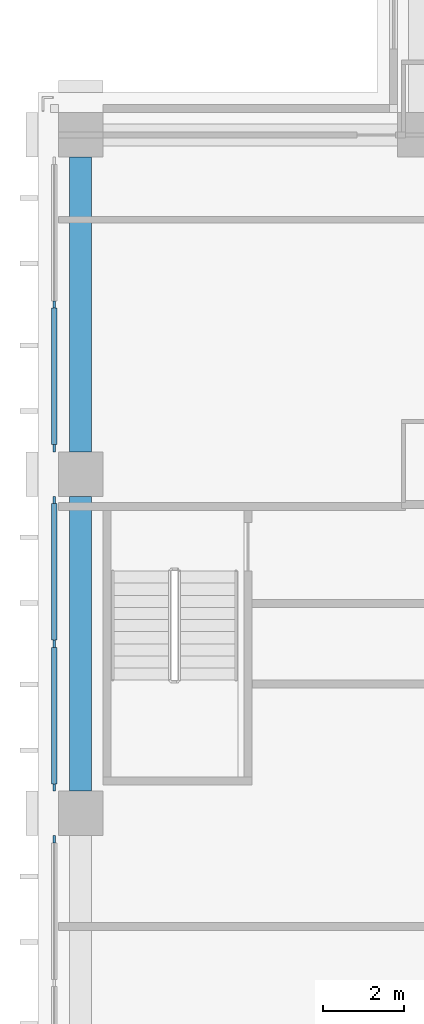
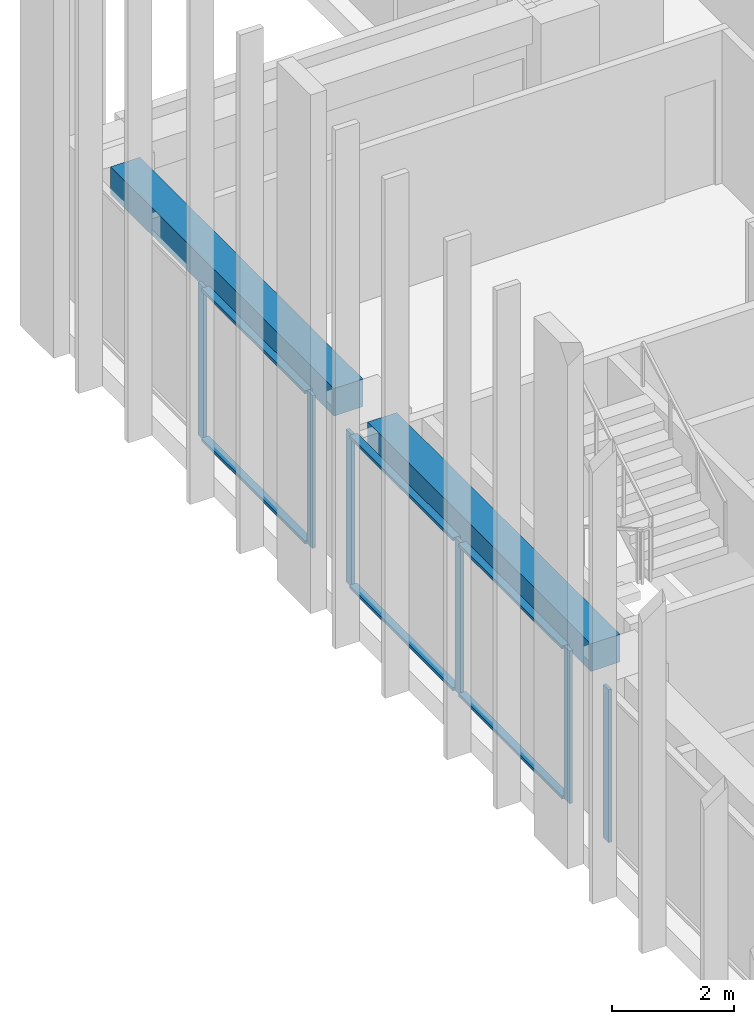
# One storey, part 4 of 16: 12 members, 2 beams, 3 elements without a shape of their own.
"""IFC4 building model written with IfcOpenShell, lengths in metres."""

from ifc_helpers import new_model, si_unit, direction, frame, origin, origin_2d, place, context, subcontext, project, spatial, rectangle, extrude, material, material_profile, profile_set, type_object, element, aggregate, save


model = new_model("IFC4")

# Units and contexts
model_context = context("Model", 3, precision=1e-05, world=origin(), true_north=direction((0.0, 1.0)))
body_context = subcontext(model_context, "Body", "Model", "MODEL_VIEW")
ifc_project = project(units=[si_unit("LENGTHUNIT", "METRE"), si_unit("AREAUNIT", "SQUARE_METRE"), si_unit("VOLUMEUNIT", "CUBIC_METRE"), si_unit("PLANEANGLEUNIT", "RADIAN"), si_unit("MASSUNIT", "GRAM", prefix="KILO")], contexts=[model_context])

# Site, building, storey
site_placement = place(None, origin())
site = spatial("IfcSite", under=ifc_project, at=site_placement, CompositionType="ELEMENT")
building_placement = place(site_placement, origin())
building = spatial("IfcBuilding", under=site, at=building_placement, Name="Vermilion Ogive Tower", CompositionType="ELEMENT")
storey_placement = place(building_placement, frame((0.0, 0.0, 133.10009765625)))
storey = spatial("IfcBuildingStorey", under=building, at=storey_placement, Name="L33", CompositionType="ELEMENT", Elevation=133.10009765625)

# Curtain wall, members
ifc_material_1 = material(Name="Low-iron laminated glazing in aluminium frame", Category="aluminium")
curtain_wall_type = type_object("IfcCurtainWallType", Name="Curtain wall CW7", PredefinedType="NOTDEFINED", material=ifc_material_1)
curtain_wall_1_placement = place(storey_placement, origin())
curtain_wall_1 = element("IfcCurtainWall", 1, at=curtain_wall_1_placement, inside=storey, type_object=curtain_wall_type, Name="Glazed skin W1", PredefinedType="NOTDEFINED")
ifc_material_2 = material(Name="Aluminium mullion", Category="aluminium")
ifc_material_profile_1 = material_profile(ifc_material_2, rectangle(XDim=0.06005859375, YDim=0.179931640625, at=origin_2d()), Name="AL 60x180")
ifc_profile_set_1 = profile_set([ifc_material_profile_1], Name="Aluminium mullion")
member_type_1 = type_object("IfcMemberType", Name="CW7 mullion 60x180", PredefinedType="MULLION", material=ifc_profile_set_1)
member_1_placement = place(storey_placement, frame((-21.64990234375, 8.39990234375, 0.0), z_axis=(0.0, 0.0, 1.0), x_axis=(1.0, 0.0, 0.0)))
member_1 = element("IfcMember", 2, at=member_1_placement, type_object=member_type_1, Name="CW7-W1 mullion 2", PredefinedType="MULLION", context=body_context, shape_type="SweptSolid", body=[
    extrude(rectangle(XDim=0.06005859375, YDim=0.179931640625, at=origin_2d()), origin(), (0.0, 0.0, 1.0), 3.0498046875),
])
member_2_placement = place(storey_placement, frame((-21.64990234375, 4.840087890625, 0.0), z_axis=(0.0, 0.0, 1.0), x_axis=(1.0, 0.0, 0.0)))
member_2 = element("IfcMember", 3, at=member_2_placement, type_object=member_type_1, Name="CW7-W1 mullion 3", PredefinedType="MULLION", context=body_context, shape_type="SweptSolid", body=[
    extrude(rectangle(XDim=0.06005859375, YDim=0.179931640625, at=origin_2d()), origin(), (0.0, 0.0, 1.0), 3.0498046875),
])

curtain_wall_2_placement = place(storey_placement, origin())
curtain_wall_2 = element("IfcCurtainWall", 4, at=curtain_wall_2_placement, inside=storey, type_object=curtain_wall_type, Name="Glazed skin W2", PredefinedType="NOTDEFINED")
member_3_placement = place(storey_placement, frame((-21.64990234375, 3.56005859375, 0.0), z_axis=(0.0, 0.0, 1.0), x_axis=(1.0, 0.0, 0.0)))
member_3 = element("IfcMember", 5, at=member_3_placement, type_object=member_type_1, Name="CW7-W2 mullion 1", PredefinedType="MULLION", context=body_context, shape_type="SweptSolid", body=[
    extrude(rectangle(XDim=0.06005859375, YDim=0.179931640625, at=origin_2d()), origin(), (0.0, 0.0, 1.0), 3.0498046875),
])
member_4_placement = place(storey_placement, frame((-21.64990234375, 0.0, 0.0), z_axis=(0.0, 0.0, 1.0), x_axis=(1.0, 0.0, 0.0)))
member_4 = element("IfcMember", 6, at=member_4_placement, type_object=member_type_1, Name="CW7-W2 mullion 2", PredefinedType="MULLION", context=body_context, shape_type="SweptSolid", body=[
    extrude(rectangle(XDim=0.06005859375, YDim=0.179931640625, at=origin_2d()), origin(), (0.0, 0.0, 1.0), 3.0498046875),
])
member_5_placement = place(storey_placement, frame((-21.64990234375, -3.56005859375, 0.0), z_axis=(0.0, 0.0, 1.0), x_axis=(1.0, 0.0, 0.0)))
member_5 = element("IfcMember", 7, at=member_5_placement, type_object=member_type_1, Name="CW7-W2 mullion 3", PredefinedType="MULLION", context=body_context, shape_type="SweptSolid", body=[
    extrude(rectangle(XDim=0.06005859375, YDim=0.179931640625, at=origin_2d()), origin(), (0.0, 0.0, 1.0), 3.0498046875),
])

# Curtain wall, member
curtain_wall_3_placement = place(storey_placement, origin())
curtain_wall_3 = element("IfcCurtainWall", 8, at=curtain_wall_3_placement, inside=storey, type_object=curtain_wall_type, Name="Glazed skin W3", PredefinedType="NOTDEFINED")
member_6_placement = place(storey_placement, frame((-21.64990234375, -4.840087890625, 0.0), z_axis=(0.0, 0.0, 1.0), x_axis=(1.0, 0.0, 0.0)))
member_6 = element("IfcMember", 9, at=member_6_placement, type_object=member_type_1, Name="CW7-W3 mullion 1", PredefinedType="MULLION", context=body_context, shape_type="SweptSolid", body=[
    extrude(rectangle(XDim=0.06005859375, YDim=0.179931640625, at=origin_2d()), origin(), (0.0, 0.0, 1.0), 3.0498046875),
])
aggregate(curtain_wall_3, [member_6])

# Member
ifc_material_3 = material(Name="Aluminium transom", Category="aluminium")
ifc_material_profile_2 = material_profile(ifc_material_3, rectangle(XDim=0.139892578125, YDim=0.06005859375, at=origin_2d()), Name="AL 60x140")
ifc_profile_set_2 = profile_set([ifc_material_profile_2], Name="Aluminium transom")
member_type_2 = type_object("IfcMemberType", Name="CW7 transom 60x140", PredefinedType="USERDEFINED", material=ifc_profile_set_2)
member_7_placement = place(storey_placement, frame((-21.64990234375, 8.31005859375, 0.02978515625), z_axis=(0.0, -1.0, 0.0), x_axis=(1.0, 0.0, 0.0)))
member_7 = element("IfcMember", 10, at=member_7_placement, type_object=member_type_2, Name="CW7-W1 transom 2.1", ObjectType="TRANSOM", PredefinedType="USERDEFINED", context=body_context, shape_type="SweptSolid", body=[
    extrude(rectangle(XDim=0.139892578125, YDim=0.06005859375, at=origin_2d()), origin(), (0.0, 0.0, 1.0), 3.380126953125),
])

member_8_placement = place(storey_placement, frame((-21.64990234375, 8.31005859375, 3.02001953125), z_axis=(0.0, -1.0, 0.0), x_axis=(1.0, 0.0, 0.0)))
member_8 = element("IfcMember", 11, at=member_8_placement, type_object=member_type_2, Name="CW7-W1 transom 2.2", ObjectType="TRANSOM", PredefinedType="USERDEFINED", context=body_context, shape_type="SweptSolid", body=[
    extrude(rectangle(XDim=0.139892578125, YDim=0.06005859375, at=origin_2d()), origin(), (0.0, 0.0, 1.0), 3.380126953125),
])

aggregate(curtain_wall_1, [member_1, member_2, member_7, member_8])

member_9_placement = place(storey_placement, frame((-21.64990234375, 3.469970703125, 0.02978515625), z_axis=(0.0, -1.0, 0.0), x_axis=(1.0, 0.0, 0.0)))
member_9 = element("IfcMember", 12, at=member_9_placement, type_object=member_type_2, Name="CW7-W2 transom 1.1", ObjectType="TRANSOM", PredefinedType="USERDEFINED", context=body_context, shape_type="SweptSolid", body=[
    extrude(rectangle(XDim=0.139892578125, YDim=0.06005859375, at=origin_2d()), origin(), (0.0, 0.0, 1.0), 3.3798828125),
])

member_10_placement = place(storey_placement, frame((-21.64990234375, 3.469970703125, 3.02001953125), z_axis=(0.0, -1.0, 0.0), x_axis=(1.0, 0.0, 0.0)))
member_10 = element("IfcMember", 13, at=member_10_placement, type_object=member_type_2, Name="CW7-W2 transom 1.2", ObjectType="TRANSOM", PredefinedType="USERDEFINED", context=body_context, shape_type="SweptSolid", body=[
    extrude(rectangle(XDim=0.139892578125, YDim=0.06005859375, at=origin_2d()), origin(), (0.0, 0.0, 1.0), 3.3798828125),
])

member_11_placement = place(storey_placement, frame((-21.64990234375, -0.090087890625, 0.02978515625), z_axis=(0.0, -1.0, 0.0), x_axis=(1.0, 0.0, 0.0)))
member_11 = element("IfcMember", 14, at=member_11_placement, type_object=member_type_2, Name="CW7-W2 transom 2.1", ObjectType="TRANSOM", PredefinedType="USERDEFINED", context=body_context, shape_type="SweptSolid", body=[
    extrude(rectangle(XDim=0.139892578125, YDim=0.06005859375, at=origin_2d()), origin(), (0.0, 0.0, 1.0), 3.3798828125),
])

member_12_placement = place(storey_placement, frame((-21.64990234375, -0.090087890625, 3.02001953125), z_axis=(0.0, -1.0, 0.0), x_axis=(1.0, 0.0, 0.0)))
member_12 = element("IfcMember", 15, at=member_12_placement, type_object=member_type_2, Name="CW7-W2 transom 2.2", ObjectType="TRANSOM", PredefinedType="USERDEFINED", context=body_context, shape_type="SweptSolid", body=[
    extrude(rectangle(XDim=0.139892578125, YDim=0.06005859375, at=origin_2d()), origin(), (0.0, 0.0, 1.0), 3.3798828125),
])

aggregate(curtain_wall_2, [member_3, member_4, member_5, member_9, member_10, member_11, member_12])

# Beams
ifc_material_4 = material(Name="Concrete B45", Category="concrete")
ifc_material_profile_3 = material_profile(ifc_material_4, rectangle(XDim=0.550048828125, YDim=0.550048828125, at=origin_2d()), Name="550 x 550")
ifc_profile_set_3 = profile_set([ifc_material_profile_3], Name="Concrete B45")
beam_type = type_object("IfcBeamType", Name="Edge beam 550 x 550 B45", PredefinedType="BEAM", material=ifc_profile_set_3)
beam_1_placement = place(storey_placement, frame((-21.0, 12.050048828125, 2.77490234375), z_axis=(0.0, -1.0, 0.0), x_axis=(1.0, 0.0, 0.0)))
element("IfcBeam", 16, at=beam_1_placement, inside=storey, type_object=beam_type, Name="L33-EB-13", PredefinedType="BEAM", context=body_context, shape_type="SweptSolid", body=[
    extrude(rectangle(XDim=0.550048828125, YDim=0.550048828125, at=origin_2d()), origin(), (0.0, 0.0, 1.0), 7.300048828125),
])
beam_2_placement = place(storey_placement, frame((-21.0, 3.64990234375, 2.77490234375), z_axis=(0.0, -1.0, 0.0), x_axis=(1.0, 0.0, 0.0)))
element("IfcBeam", 17, at=beam_2_placement, inside=storey, type_object=beam_type, Name="L33-EB-14", PredefinedType="BEAM", context=body_context, shape_type="SweptSolid", body=[
    extrude(rectangle(XDim=0.550048828125, YDim=0.550048828125, at=origin_2d()), origin(), (0.0, 0.0, 1.0), 7.2998046875),
])

save(model, "model.ifc")
